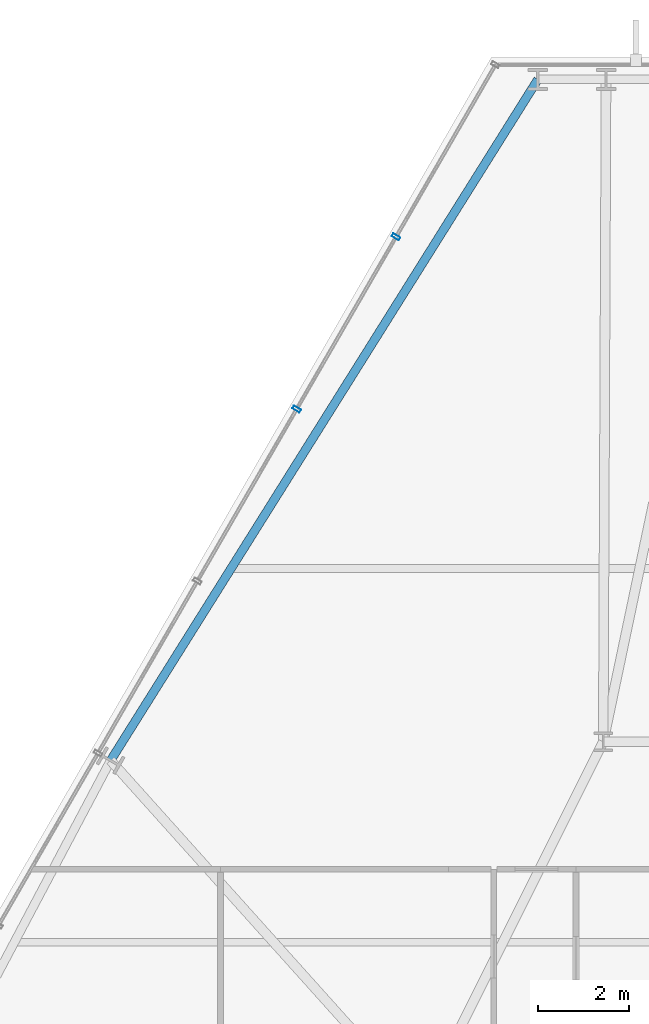
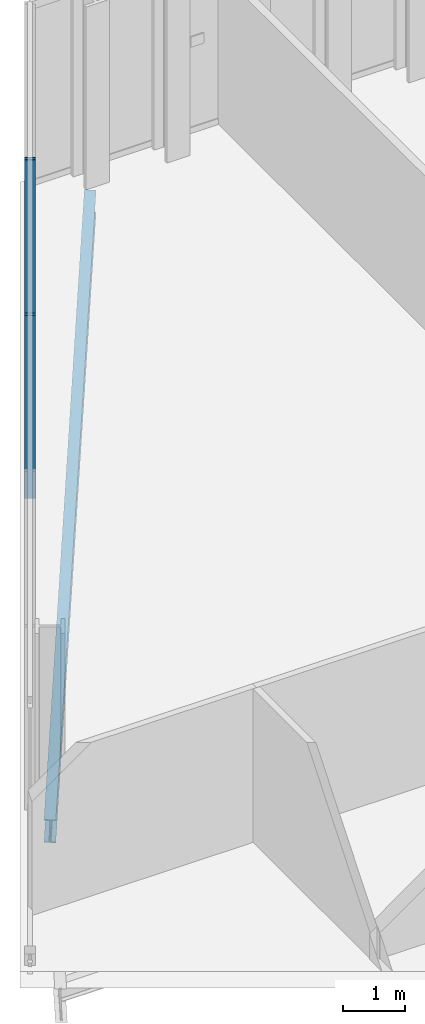
# One storey, part 20 of 32: 2 members, 1 beam, 1 element without a shape of its own.
"""IFC4 building model written with IfcOpenShell, lengths in metres."""

import ifcopenshell
import ifcopenshell.guid

model = None  # the IFC model being written
_history = None  # IfcOwnerHistory: only IFC2X3 demands one
_inside = {}  # id of a spatial element -> (the spatial element, [elements in it])
_under = {}  # id of a project, library or spatial element -> (it, [spatial elements below it])
_declared = {}  # id of a project -> (the project, [libraries it declares])
_typed = {}  # id of a type object -> (the type object, [elements of that type])
_made_of = {}  # id of a material, layer set ... -> (it, [elements and type objects made of it])


def new_model(schema):
    """Start an empty IFC model of exactly this schema.

    Asked for "IFC4X3", IfcOpenShell would pick the latest addendum, in which some entities
    have other attributes; the version numbers below select the first issue.
    IFC2X3 requires an IfcOwnerHistory on every rooted entity: one is made here for all.
    """
    global model, _history
    if schema == "IFC4X3":
        model = ifcopenshell.file(schema_version=(4, 3, 0, 0))
    else:
        model = ifcopenshell.file(schema=schema)
    _inside.clear()
    _under.clear()
    _declared.clear()
    _typed.clear()
    _made_of.clear()
    _history = None
    if model.schema == "IFC2X3":
        org = make("IfcOrganization", Name="unknown")
        user = make(
            "IfcPersonAndOrganization",
            ThePerson=make("IfcPerson", FamilyName="unknown"),
            TheOrganization=org,
        )
        app = make(
            "IfcApplication",
            ApplicationDeveloper=org,
            Version="unknown",
            ApplicationFullName="unknown",
            ApplicationIdentifier="unknown",
        )
        _history = make(
            "IfcOwnerHistory",
            OwningUser=user,
            OwningApplication=app,
            ChangeAction="ADDED",
            CreationDate=0,
        )
    return model


def make(cls, **values):
    """One entity of the class cls with the attributes given. An attribute that is None is left unset."""
    return model.create_entity(
        cls, **{name: value for name, value in values.items() if value is not None}
    )


def rooted(cls, **values):
    """An entity with a GlobalId (a new one), such as an element, a storey or a relation."""
    return make(cls, GlobalId=ifcopenshell.guid.new(), OwnerHistory=_history, **values)


def si_unit(unit_type, name, prefix=None):
    """IfcSIUnit, for example si_unit("LENGTHUNIT", "METRE", prefix="MILLI")."""
    return make("IfcSIUnit", UnitType=unit_type, Prefix=prefix, Name=name)


def assignment(units):
    """IfcUnitAssignment: the units of a project."""
    return None if units is None else make("IfcUnitAssignment", Units=units)


def point(xyz):
    """IfcCartesianPoint."""
    return None if xyz is None else make("IfcCartesianPoint", Coordinates=xyz)


def direction(xyz):
    """IfcDirection."""
    return None if xyz is None else make("IfcDirection", DirectionRatios=xyz)


def frame(location, z_axis=None, x_axis=None):
    """IfcAxis2Placement3D, a coordinate frame: its origin and axes. An axis left out is left unset."""
    return make(
        "IfcAxis2Placement3D",
        Location=point(location),
        Axis=direction(z_axis),
        RefDirection=direction(x_axis),
    )


def frame_2d(location, x_axis=None):
    """IfcAxis2Placement2D, a coordinate frame in the plane: its origin and x axis."""
    return make(
        "IfcAxis2Placement2D", Location=point(location), RefDirection=direction(x_axis)
    )


def origin():
    """The frame at (0, 0, 0) with its axes left unset."""
    return frame((0.0, 0.0, 0.0))


def origin_2d():
    """The frame at (0, 0) in the plane with its x axis left unset."""
    return frame_2d((0.0, 0.0))


def place(relative_to, where):
    """IfcLocalPlacement: puts the frame where relative to a parent placement (None: the world)."""
    return make(
        "IfcLocalPlacement", PlacementRelTo=relative_to, RelativePlacement=where
    )


def context(
    kind, dimensions, precision=None, world=None, true_north=None, identifier=None
):
    """IfcGeometricRepresentationContext, for example the 3D "Model" context."""
    return make(
        "IfcGeometricRepresentationContext",
        ContextIdentifier=identifier,
        ContextType=kind,
        CoordinateSpaceDimension=dimensions,
        Precision=precision,
        WorldCoordinateSystem=world,
        TrueNorth=true_north,
    )


def subcontext(parent, identifier, kind, view, scale=None):
    """IfcGeometricRepresentationSubContext, for example "Body" below "Model"."""
    return make(
        "IfcGeometricRepresentationSubContext",
        ContextIdentifier=identifier,
        ContextType=kind,
        ParentContext=parent,
        TargetScale=scale,
        TargetView=view,
    )


def project(units=None, contexts=None):
    """IfcProject with its units and contexts."""
    return rooted(
        "IfcProject",
        Name="project",
        RepresentationContexts=contexts,
        UnitsInContext=assignment(units),
    )


def spatial(cls, under=None, at=None, **own):
    """A site, building, storey or space (cls), placed at a placement, below another one or the project."""
    s = rooted(cls, ObjectPlacement=at, **own)
    if under is not None:
        _under.setdefault(under.id(), (under, []))[1].append(s)
    return s


def profile(cls, at=None, kind="AREA", **sizes):
    """A parametric profile (cls). Its sizes go by their IFC names, for example OverallWidth=200.0."""
    return make(cls, ProfileType=kind, Position=at, **sizes)


def hollow_rectangle(**sizes):
    """IfcRectangleHollowProfileDef."""
    return profile("IfcRectangleHollowProfileDef", **sizes)


def i_section(**sizes):
    """IfcIShapeProfileDef."""
    return profile("IfcIShapeProfileDef", **sizes)


def extrude(swept, where, along, depth):
    """IfcExtrudedAreaSolid: the profile swept, set in the frame where, extruded along a direction by depth."""
    return make(
        "IfcExtrudedAreaSolid",
        SweptArea=swept,
        Position=where,
        ExtrudedDirection=direction(along),
        Depth=depth,
    )


def shape(context_of_items, identifier, shape_type, items):
    """IfcShapeRepresentation: the items that make up one representation, for example the "Body"."""
    return make(
        "IfcShapeRepresentation",
        ContextOfItems=context_of_items,
        RepresentationIdentifier=identifier,
        RepresentationType=shape_type,
        Items=items,
    )


def material(Name=None, Category=None):
    """IfcMaterial."""
    return make("IfcMaterial", Name=Name, Category=Category)


def layer(
    of_material, thickness, ventilated=None, Name=None, Category=None, Priority=None
):
    """IfcMaterialLayer: one layer of a wall or slab, of a material (None: an air gap)."""
    return make(
        "IfcMaterialLayer",
        Material=of_material,
        LayerThickness=thickness,
        IsVentilated=ventilated,
        Name=Name,
        Category=Category,
        Priority=Priority,
    )


def layer_set(layers, Name=None):
    """IfcMaterialLayerSet."""
    return make("IfcMaterialLayerSet", MaterialLayers=layers, LayerSetName=Name)


def material_profile(
    of_material, cross_section, Name=None, Category=None, Priority=None
):
    """IfcMaterialProfile: a cross section and its material."""
    return make(
        "IfcMaterialProfile",
        Name=Name,
        Material=of_material,
        Profile=cross_section,
        Priority=Priority,
        Category=Category,
    )


def profile_set(profiles, Name=None, composite=None):
    """IfcMaterialProfileSet."""
    return make(
        "IfcMaterialProfileSet",
        Name=Name,
        MaterialProfiles=profiles,
        CompositeProfile=composite,
    )


def made_of(thing, what):
    """Note that an element or type object is made of a material, layer set ...; save() writes the relation."""
    if what is not None:
        _made_of.setdefault(what.id(), (what, []))[1].append(thing)
    return thing


def type_object(cls, material=None, **own):
    """A type object (cls), such as IfcWallType, which elements share."""
    return made_of(rooted(cls, **own), material)


def element(
    cls,
    number,
    at=None,
    inside=None,
    cuts=None,
    type_object=None,
    material=None,
    context=None,
    identifier="Body",
    shape_type=None,
    held_by="IfcProductDefinitionShape",
    body=None,
    shapes=None,
    **own,
):
    """One element of the class cls, such as IfcWall. Its Tag is "e" and its number.

    at: its placement. inside: the storey or other place that contains it. cuts: it is an
    opening in that element (IfcRelVoidsElement). A single representation is given by context,
    identifier, shape_type and body (its items); several are given by shapes. held_by: the class
    of the entity that holds the representations. save() writes the other relations.
    """
    e = rooted(cls, Tag="e%d" % number, ObjectPlacement=at, **own)
    if body is not None:
        shapes = [shape(context, identifier, shape_type, body)]
    if shapes is not None:
        e.Representation = make(held_by, Representations=shapes)
    if inside is not None:
        _inside.setdefault(inside.id(), (inside, []))[1].append(e)
    if cuts is not None:
        rooted(
            "IfcRelVoidsElement", RelatingBuildingElement=cuts, RelatedOpeningElement=e
        )
    if type_object is not None:
        _typed.setdefault(type_object.id(), (type_object, []))[1].append(e)
    return made_of(e, material)


def aggregate(whole, parts):
    """IfcRelAggregates: a whole, such as a stair, and the parts it consists of."""
    return rooted("IfcRelAggregates", RelatingObject=whole, RelatedObjects=parts)


def save(model, path):
    """Write the relations noted so far, then the file.

    IfcRelAggregates (storeys below a building ...), IfcRelContainedInSpatialStructure (elements
    in a storey), IfcRelDefinesByType, IfcRelAssociatesMaterial and IfcRelDeclares: one each for
    every whole, place, type object, material and project.
    """
    for whole, parts in _under.values():
        aggregate(whole, parts)
    for where, things in _inside.values():
        rooted(
            "IfcRelContainedInSpatialStructure",
            RelatedElements=things,
            RelatingStructure=where,
        )
    for kind, things in _typed.values():
        rooted("IfcRelDefinesByType", RelatedObjects=things, RelatingType=kind)
    for what, things in _made_of.values():
        rooted("IfcRelAssociatesMaterial", RelatedObjects=things, RelatingMaterial=what)
    for by, libraries in _declared.values():
        rooted("IfcRelDeclares", RelatingContext=by, RelatedDefinitions=libraries)
    model.write(path)


model = new_model("IFC4")

# Units and contexts
model_context = context("Model", 3, precision=1e-05, world=origin(), true_north=direction((0.0, 1.0)))
body_context = subcontext(model_context, "Body", "Model", "MODEL_VIEW")
ifc_project = project(units=[si_unit("LENGTHUNIT", "METRE"), si_unit("AREAUNIT", "SQUARE_METRE"), si_unit("VOLUMEUNIT", "CUBIC_METRE"), si_unit("PLANEANGLEUNIT", "RADIAN"), si_unit("MASSUNIT", "GRAM", prefix="KILO")], contexts=[model_context])

# Site, building, storey
site_placement = place(None, origin())
site = spatial("IfcSite", under=ifc_project, at=site_placement, CompositionType="ELEMENT")
building_placement = place(site_placement, origin())
building = spatial("IfcBuilding", under=site, at=building_placement, Name="Ndaravel Arena Tower", CompositionType="ELEMENT")
storey_placement = place(building_placement, frame((0.0, 0.0, 130.800048828125)))
storey = spatial("IfcBuildingStorey", under=building, at=storey_placement, Name="L30", CompositionType="ELEMENT", Elevation=130.800048828125)

# Beam
ifc_material_1 = material(Name="Steel S355", Category="steel")
ifc_material_profile_1 = material_profile(ifc_material_1, i_section(OverallWidth=0.18994140625, OverallDepth=0.449951171875, WebThickness=0.009521484375, FlangeThickness=0.0146484375, FilletRadius=0.02099609375, at=origin_2d()), Name="IPE 450")
ifc_profile_set_1 = profile_set([ifc_material_profile_1], Name="Steel S355")
beam_type = type_object("IfcBeamType", Name="BM-SPAN-IPE450", PredefinedType="SPANDREL", material=ifc_profile_set_1)
beam_placement = place(storey_placement, frame((36.765625, 45.736083984375, -0.445068359375), z_axis=(-0.531434619656, -0.847099312378, 0.0), x_axis=(0.847099312378, -0.531434619656, 0.0)))
element("IfcBeam", 1, at=beam_placement, inside=storey, type_object=beam_type, Name="L30 Perimeter Spandrel Beam SP-18", PredefinedType="SPANDREL", context=body_context, shape_type="SweptSolid", body=[
    extrude(i_section(OverallWidth=0.18994140625, OverallDepth=0.449951171875, WebThickness=0.009521484375, FlangeThickness=0.0146484375, FilletRadius=0.02099609375, at=origin_2d()), origin(), (0.0, 0.0, 1.0), 17.6455078125),
])

# Curtain wall, members
ifc_material_2 = material(Name="Aluminium", Category="aluminium")
ifc_layer = layer(ifc_material_2, 0.179931640625)
ifc_layer_set = layer_set([ifc_layer], Name="Aluminium")
curtain_wall_type = type_object("IfcCurtainWallType", Name="CW-SYS-03", PredefinedType="NOTDEFINED", material=ifc_layer_set)
curtain_wall_placement = place(storey_placement, origin())
curtain_wall = element("IfcCurtainWall", 2, at=curtain_wall_placement, inside=storey, type_object=curtain_wall_type, Name="L30 Faceted Crystal Curtain Wall CW-L30-E05", PredefinedType="NOTDEFINED")
ifc_material_3 = material(Name="Aluminium", Category="aluminium")
ifc_material_profile_2 = material_profile(ifc_material_3, hollow_rectangle(XDim=0.074951171875, YDim=0.179931640625, WallThickness=0.00390625, at=origin_2d()), Name="CW MULLION 75x180x4")
ifc_profile_set_2 = profile_set([ifc_material_profile_2], Name="Aluminium")
member_type = type_object("IfcMemberType", Name="MEM-CW-MUL180", PredefinedType="MULLION", material=ifc_profile_set_2)
member_1_placement = place(storey_placement, frame((33.652587890625, 42.279296875, 0.0), z_axis=(0.0, 0.0, 1.0), x_axis=(-0.5, -0.866025403784, 0.0)))
member_1 = element("IfcMember", 3, at=member_1_placement, type_object=member_type, Name="CW-L30-E05 Mullion 01", PredefinedType="MULLION", context=body_context, shape_type="SweptSolid", body=[
    extrude(hollow_rectangle(XDim=0.074951171875, YDim=0.179931640625, WallThickness=0.00390625, at=origin_2d()), origin(), (0.0, 0.0, 1.0), 3.579833984375),
])
member_2_placement = place(storey_placement, frame((31.47216796875, 38.502197265625, 0.0), z_axis=(0.0, 0.0, 1.0), x_axis=(-0.5, -0.866025403784, 0.0)))
member_2 = element("IfcMember", 4, at=member_2_placement, type_object=member_type, Name="CW-L30-E05 Mullion 02", PredefinedType="MULLION", context=body_context, shape_type="SweptSolid", body=[
    extrude(hollow_rectangle(XDim=0.074951171875, YDim=0.179931640625, WallThickness=0.00390625, at=origin_2d()), origin(), (0.0, 0.0, 1.0), 3.579833984375),
])
aggregate(curtain_wall, [member_1, member_2])

save(model, "model.ifc")
